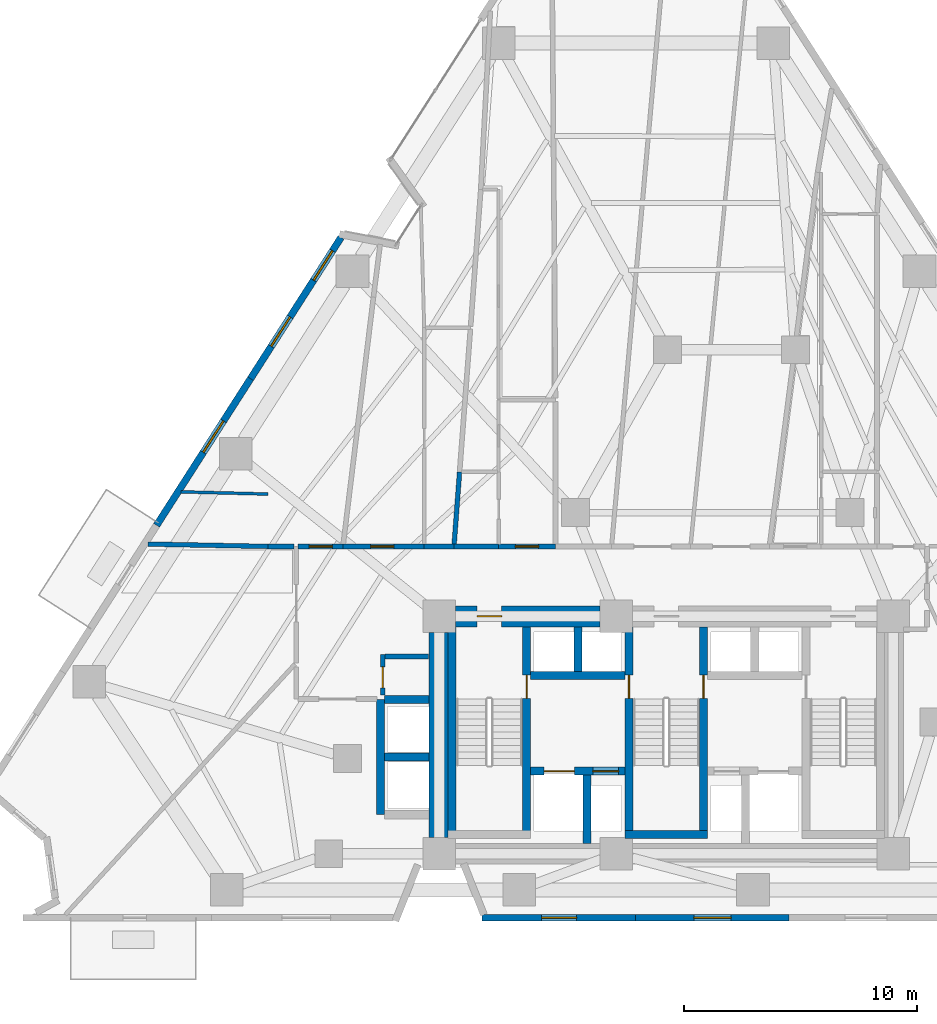
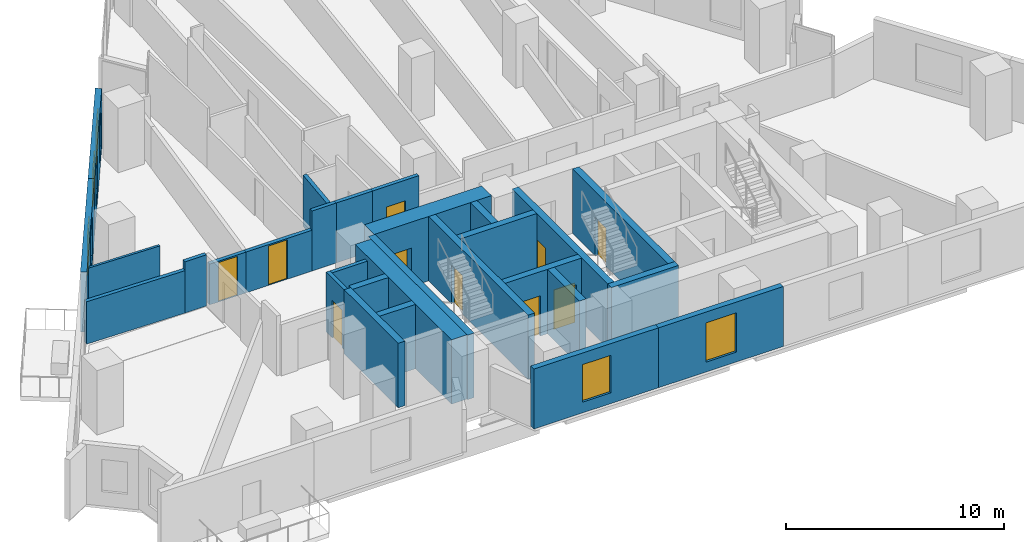
# One storey, part 7 of 14: 29 walls, 10 doors, 5 windows, 15 openings.
"""IFC4 building model written with IfcOpenShell, lengths in metres."""

import ifcopenshell
import ifcopenshell.guid

model = None  # the IFC model being written
_history = None  # IfcOwnerHistory: only IFC2X3 demands one
_inside = {}  # id of a spatial element -> (the spatial element, [elements in it])
_under = {}  # id of a project, library or spatial element -> (it, [spatial elements below it])
_declared = {}  # id of a project -> (the project, [libraries it declares])
_typed = {}  # id of a type object -> (the type object, [elements of that type])
_made_of = {}  # id of a material, layer set ... -> (it, [elements and type objects made of it])


def new_model(schema):
    """Start an empty IFC model of exactly this schema.

    Asked for "IFC4X3", IfcOpenShell would pick the latest addendum, in which some entities
    have other attributes; the version numbers below select the first issue.
    IFC2X3 requires an IfcOwnerHistory on every rooted entity: one is made here for all.
    """
    global model, _history
    if schema == "IFC4X3":
        model = ifcopenshell.file(schema_version=(4, 3, 0, 0))
    else:
        model = ifcopenshell.file(schema=schema)
    _inside.clear()
    _under.clear()
    _declared.clear()
    _typed.clear()
    _made_of.clear()
    _history = None
    if model.schema == "IFC2X3":
        org = make("IfcOrganization", Name="unknown")
        user = make(
            "IfcPersonAndOrganization",
            ThePerson=make("IfcPerson", FamilyName="unknown"),
            TheOrganization=org,
        )
        app = make(
            "IfcApplication",
            ApplicationDeveloper=org,
            Version="unknown",
            ApplicationFullName="unknown",
            ApplicationIdentifier="unknown",
        )
        _history = make(
            "IfcOwnerHistory",
            OwningUser=user,
            OwningApplication=app,
            ChangeAction="ADDED",
            CreationDate=0,
        )
    return model


def make(cls, **values):
    """One entity of the class cls with the attributes given. An attribute that is None is left unset."""
    return model.create_entity(
        cls, **{name: value for name, value in values.items() if value is not None}
    )


def rooted(cls, **values):
    """An entity with a GlobalId (a new one), such as an element, a storey or a relation."""
    return make(cls, GlobalId=ifcopenshell.guid.new(), OwnerHistory=_history, **values)


def si_unit(unit_type, name, prefix=None):
    """IfcSIUnit, for example si_unit("LENGTHUNIT", "METRE", prefix="MILLI")."""
    return make("IfcSIUnit", UnitType=unit_type, Prefix=prefix, Name=name)


def assignment(units):
    """IfcUnitAssignment: the units of a project."""
    return None if units is None else make("IfcUnitAssignment", Units=units)


def point(xyz):
    """IfcCartesianPoint."""
    return None if xyz is None else make("IfcCartesianPoint", Coordinates=xyz)


def direction(xyz):
    """IfcDirection."""
    return None if xyz is None else make("IfcDirection", DirectionRatios=xyz)


def frame(location, z_axis=None, x_axis=None):
    """IfcAxis2Placement3D, a coordinate frame: its origin and axes. An axis left out is left unset."""
    return make(
        "IfcAxis2Placement3D",
        Location=point(location),
        Axis=direction(z_axis),
        RefDirection=direction(x_axis),
    )


def frame_2d(location, x_axis=None):
    """IfcAxis2Placement2D, a coordinate frame in the plane: its origin and x axis."""
    return make(
        "IfcAxis2Placement2D", Location=point(location), RefDirection=direction(x_axis)
    )


def origin():
    """The frame at (0, 0, 0) with its axes left unset."""
    return frame((0.0, 0.0, 0.0))


def place(relative_to, where):
    """IfcLocalPlacement: puts the frame where relative to a parent placement (None: the world)."""
    return make(
        "IfcLocalPlacement", PlacementRelTo=relative_to, RelativePlacement=where
    )


def context(
    kind, dimensions, precision=None, world=None, true_north=None, identifier=None
):
    """IfcGeometricRepresentationContext, for example the 3D "Model" context."""
    return make(
        "IfcGeometricRepresentationContext",
        ContextIdentifier=identifier,
        ContextType=kind,
        CoordinateSpaceDimension=dimensions,
        Precision=precision,
        WorldCoordinateSystem=world,
        TrueNorth=true_north,
    )


def subcontext(parent, identifier, kind, view, scale=None):
    """IfcGeometricRepresentationSubContext, for example "Body" below "Model"."""
    return make(
        "IfcGeometricRepresentationSubContext",
        ContextIdentifier=identifier,
        ContextType=kind,
        ParentContext=parent,
        TargetScale=scale,
        TargetView=view,
    )


def project(units=None, contexts=None):
    """IfcProject with its units and contexts."""
    return rooted(
        "IfcProject",
        Name="project",
        RepresentationContexts=contexts,
        UnitsInContext=assignment(units),
    )


def spatial(cls, under=None, at=None, **own):
    """A site, building, storey or space (cls), placed at a placement, below another one or the project."""
    s = rooted(cls, ObjectPlacement=at, **own)
    if under is not None:
        _under.setdefault(under.id(), (under, []))[1].append(s)
    return s


def profile(cls, at=None, kind="AREA", **sizes):
    """A parametric profile (cls). Its sizes go by their IFC names, for example OverallWidth=200.0."""
    return make(cls, ProfileType=kind, Position=at, **sizes)


def rectangle(**sizes):
    """IfcRectangleProfileDef."""
    return profile("IfcRectangleProfileDef", **sizes)


def extrude(swept, where, along, depth):
    """IfcExtrudedAreaSolid: the profile swept, set in the frame where, extruded along a direction by depth."""
    return make(
        "IfcExtrudedAreaSolid",
        SweptArea=swept,
        Position=where,
        ExtrudedDirection=direction(along),
        Depth=depth,
    )


def shape(context_of_items, identifier, shape_type, items):
    """IfcShapeRepresentation: the items that make up one representation, for example the "Body"."""
    return make(
        "IfcShapeRepresentation",
        ContextOfItems=context_of_items,
        RepresentationIdentifier=identifier,
        RepresentationType=shape_type,
        Items=items,
    )


def material(Name=None, Category=None):
    """IfcMaterial."""
    return make("IfcMaterial", Name=Name, Category=Category)


def layer(
    of_material, thickness, ventilated=None, Name=None, Category=None, Priority=None
):
    """IfcMaterialLayer: one layer of a wall or slab, of a material (None: an air gap)."""
    return make(
        "IfcMaterialLayer",
        Material=of_material,
        LayerThickness=thickness,
        IsVentilated=ventilated,
        Name=Name,
        Category=Category,
        Priority=Priority,
    )


def layer_set(layers, Name=None):
    """IfcMaterialLayerSet."""
    return make("IfcMaterialLayerSet", MaterialLayers=layers, LayerSetName=Name)


def made_of(thing, what):
    """Note that an element or type object is made of a material, layer set ...; save() writes the relation."""
    if what is not None:
        _made_of.setdefault(what.id(), (what, []))[1].append(thing)
    return thing


def type_object(cls, material=None, **own):
    """A type object (cls), such as IfcWallType, which elements share."""
    return made_of(rooted(cls, **own), material)


def element(
    cls,
    number,
    at=None,
    inside=None,
    cuts=None,
    type_object=None,
    material=None,
    context=None,
    identifier="Body",
    shape_type=None,
    held_by="IfcProductDefinitionShape",
    body=None,
    shapes=None,
    **own,
):
    """One element of the class cls, such as IfcWall. Its Tag is "e" and its number.

    at: its placement. inside: the storey or other place that contains it. cuts: it is an
    opening in that element (IfcRelVoidsElement). A single representation is given by context,
    identifier, shape_type and body (its items); several are given by shapes. held_by: the class
    of the entity that holds the representations. save() writes the other relations.
    """
    e = rooted(cls, Tag="e%d" % number, ObjectPlacement=at, **own)
    if body is not None:
        shapes = [shape(context, identifier, shape_type, body)]
    if shapes is not None:
        e.Representation = make(held_by, Representations=shapes)
    if inside is not None:
        _inside.setdefault(inside.id(), (inside, []))[1].append(e)
    if cuts is not None:
        rooted(
            "IfcRelVoidsElement", RelatingBuildingElement=cuts, RelatedOpeningElement=e
        )
    if type_object is not None:
        _typed.setdefault(type_object.id(), (type_object, []))[1].append(e)
    return made_of(e, material)


def fill(opening, filler):
    """IfcRelFillsElement: the door or window that sits in an opening."""
    return rooted(
        "IfcRelFillsElement",
        RelatingOpeningElement=opening,
        RelatedBuildingElement=filler,
    )


def aggregate(whole, parts):
    """IfcRelAggregates: a whole, such as a stair, and the parts it consists of."""
    return rooted("IfcRelAggregates", RelatingObject=whole, RelatedObjects=parts)


def save(model, path):
    """Write the relations noted so far, then the file.

    IfcRelAggregates (storeys below a building ...), IfcRelContainedInSpatialStructure (elements
    in a storey), IfcRelDefinesByType, IfcRelAssociatesMaterial and IfcRelDeclares: one each for
    every whole, place, type object, material and project.
    """
    for whole, parts in _under.values():
        aggregate(whole, parts)
    for where, things in _inside.values():
        rooted(
            "IfcRelContainedInSpatialStructure",
            RelatedElements=things,
            RelatingStructure=where,
        )
    for kind, things in _typed.values():
        rooted("IfcRelDefinesByType", RelatedObjects=things, RelatingType=kind)
    for what, things in _made_of.values():
        rooted("IfcRelAssociatesMaterial", RelatedObjects=things, RelatingMaterial=what)
    for by, libraries in _declared.values():
        rooted("IfcRelDeclares", RelatingContext=by, RelatedDefinitions=libraries)
    model.write(path)


model = new_model("IFC4")

# Units and contexts
model_context = context("Model", 3, precision=1e-05, world=origin(), true_north=direction((0.0, 1.0)))
body_context = subcontext(model_context, "Body", "Model", "MODEL_VIEW")
ifc_project = project(units=[si_unit("LENGTHUNIT", "METRE"), si_unit("AREAUNIT", "SQUARE_METRE"), si_unit("VOLUMEUNIT", "CUBIC_METRE"), si_unit("PLANEANGLEUNIT", "RADIAN"), si_unit("MASSUNIT", "GRAM", prefix="KILO")], contexts=[model_context])

# Site, building, storey
site_placement = place(None, origin())
site = spatial("IfcSite", under=ifc_project, at=site_placement, CompositionType="ELEMENT")
building_placement = place(site_placement, origin())
building = spatial("IfcBuilding", under=site, at=building_placement, Name="Almagre Mirador Tower", CompositionType="ELEMENT")
storey_placement = place(building_placement, frame((0.0, 0.0, 46.199951171875)))
storey = spatial("IfcBuildingStorey", under=building, at=storey_placement, Name="L10", CompositionType="ELEMENT", Elevation=46.199951171875)

# Wall, opening, window
ifc_material_1 = material(Name="Precast concrete C50/60", Category="concrete")
ifc_layer_1 = layer(ifc_material_1, 0.300048828125)
ifc_layer_set_1 = layer_set([ifc_layer_1], Name="Precast concrete C50/60")
wall_type_1 = type_object("IfcWallType", Name="WAL-EXT-300", PredefinedType="SOLIDWALL", material=ifc_layer_set_1)
wall_1_placement = place(storey_placement, frame((42.5615234375, 1.800048828125, 0.0), z_axis=(0.0, 0.0, 1.0), x_axis=(-1.0, 0.0, 0.0)))
wall_1 = element("IfcWall", 1, at=wall_1_placement, inside=storey, type_object=wall_type_1, Name="L10 expressed almagre precast frame wall 23", PredefinedType="SOLIDWALL", context=body_context, shape_type="SweptSolid", body=[
    extrude(rectangle(XDim=6.5927734375, YDim=0.300048828125, at=frame_2d((3.29638671875, 0.0))), origin(), (0.0, 0.0, 1.0), 3.35009765625),
])
opening_1_placement = place(wall_1_placement, frame((2.47509765625, 0.0, 0.550048828125)))
opening_1 = element("IfcOpeningElement", 2, at=opening_1_placement, cuts=wall_1, Name="Opening WN-06", PredefinedType="OPENING", context=body_context, shape_type="SweptSolid", body=[
    extrude(rectangle(XDim=1.60009765625, YDim=2.199951171875, at=frame_2d((0.800048828125, 1.10009765625))), frame((0.0, 0.159902, 0.0), z_axis=(0.0, -1.0, 0.0), x_axis=(1.0, 0.0, 0.0)), (0.0, 0.0, 1.0), 0.320049),
])
ifc_material_2 = material(Name="Dark solar-control laminated hurricane glass", Category="glass")
window_type_1 = type_object("IfcWindowType", Name="WIN-1600X2200", PartitioningType="DOUBLE_PANEL_VERTICAL", PredefinedType="WINDOW", material=ifc_material_2)
window_1_placement = place(opening_1_placement, origin())
window_1 = element("IfcWindow", 3, at=window_1_placement, inside=storey, type_object=window_type_1, Name="L10 recessed hurricane window L10-RST-B", OverallHeight=2.199951171875, OverallWidth=1.60009765625, PartitioningType="SINGLE_PANEL", PredefinedType="WINDOW", context=body_context, shape_type="SweptSolid", body=[
    extrude(rectangle(XDim=1.60009765625, YDim=2.199951171875, at=frame_2d((0.800048828125, 1.10009765625))), frame((0.0, 0.030029296875, 0.0), z_axis=(0.0, -1.0, 0.0), x_axis=(1.0, 0.0, 0.0)), (0.0, 0.0, 1.0), 0.06005859375),
])
fill(opening_1, window_1)

wall_2_placement = place(storey_placement, frame((35.96875, 1.800048828125, 0.0), z_axis=(0.0, 0.0, 1.0), x_axis=(-1.0, 0.0, 0.0)))
wall_2 = element("IfcWall", 4, at=wall_2_placement, inside=storey, type_object=wall_type_1, Name="L10 expressed almagre precast frame wall 24", PredefinedType="SOLIDWALL", context=body_context, shape_type="SweptSolid", body=[
    extrude(rectangle(XDim=6.5927734375, YDim=0.300048828125, at=frame_2d((3.29638671875, 0.0))), origin(), (0.0, 0.0, 1.0), 3.35009765625),
])
opening_2_placement = place(wall_2_placement, frame((2.52490234375, 0.0, 0.60009765625)))
opening_2 = element("IfcOpeningElement", 5, at=opening_2_placement, cuts=wall_2, Name="Opening WN-03", PredefinedType="OPENING", context=body_context, shape_type="SweptSolid", body=[
    extrude(rectangle(XDim=1.5, YDim=2.10009765625, at=frame_2d((0.75, 1.050048828125))), frame((0.0, 0.159902, 0.0), z_axis=(0.0, -1.0, 0.0), x_axis=(1.0, 0.0, 0.0)), (0.0, 0.0, 1.0), 0.320049),
])
ifc_material_3 = material(Name="Dark solar-control laminated hurricane glass", Category="glass")
window_type_2 = type_object("IfcWindowType", Name="WIN-1500X2100", PartitioningType="DOUBLE_PANEL_VERTICAL", PredefinedType="WINDOW", material=ifc_material_3)
window_2_placement = place(opening_2_placement, origin())
window_2 = element("IfcWindow", 6, at=window_2_placement, inside=storey, type_object=window_type_2, Name="L10 recessed hurricane window L10-RST-B", OverallHeight=2.10009765625, OverallWidth=1.5, PartitioningType="SINGLE_PANEL", PredefinedType="WINDOW", context=body_context, shape_type="SweptSolid", body=[
    extrude(rectangle(XDim=1.5, YDim=2.10009765625, at=frame_2d((0.75, 1.050048828125))), frame((0.0, 0.030029296875, 0.0), z_axis=(0.0, -1.0, 0.0), x_axis=(1.0, 0.0, 0.0)), (0.0, 0.0, 1.0), 0.06005859375),
])
fill(opening_2, window_2)

wall_3_placement = place(storey_placement, frame((15.403564453125, 18.658447265625, 0.0), z_axis=(0.0, 0.0, 1.0), x_axis=(0.539510136354, 0.841979104712, 0.0)))
wall_3 = element("IfcWall", 7, at=wall_3_placement, inside=storey, type_object=wall_type_1, Name="L10 expressed almagre precast frame wall 35", PredefinedType="SOLIDWALL", context=body_context, shape_type="SweptSolid", body=[
    extrude(rectangle(XDim=7.4814453125, YDim=0.300048828125, at=frame_2d((3.74072265625, 0.0))), origin(), (0.0, 0.0, 1.0), 3.35009765625),
])
opening_3_placement = place(wall_3_placement, frame((3.72509765625, 0.0, 0.550048828125)))
opening_3 = element("IfcOpeningElement", 8, at=opening_3_placement, cuts=wall_3, Name="Opening WN-06", PredefinedType="OPENING", context=body_context, shape_type="SweptSolid", body=[
    extrude(rectangle(XDim=1.60009765625, YDim=2.199951171875, at=frame_2d((0.800048828125, 1.10009765625))), frame((0.0, 0.159902, 0.0), z_axis=(0.0, -1.0, 0.0), x_axis=(1.0, 0.0, 0.0)), (0.0, 0.0, 1.0), 0.320049),
])
window_3_placement = place(opening_3_placement, origin())
window_3 = element("IfcWindow", 9, at=window_3_placement, inside=storey, type_object=window_type_1, Name="L10 recessed hurricane window L10-UE-MB", OverallHeight=2.199951171875, OverallWidth=1.60009765625, PartitioningType="SINGLE_PANEL", PredefinedType="WINDOW", context=body_context, shape_type="SweptSolid", body=[
    extrude(rectangle(XDim=1.60009765625, YDim=2.199951171875, at=frame_2d((0.800048828125, 1.10009765625))), frame((0.0, 0.030029296875, 0.0), z_axis=(0.0, -1.0, 0.0), x_axis=(1.0, 0.0, 0.0)), (0.0, 0.0, 1.0), 0.06005859375),
])
fill(opening_3, window_3)

# Wall, openings, windows
wall_4_placement = place(storey_placement, frame((19.43994140625, 24.957763671875, 0.0), z_axis=(0.0, 0.0, 1.0), x_axis=(0.539536201693, 0.841962402404, 0.0)))
wall_4 = element("IfcWall", 10, at=wall_4_placement, inside=storey, type_object=wall_type_1, Name="L10 expressed almagre precast frame wall 36", PredefinedType="SOLIDWALL", context=body_context, shape_type="SweptSolid", body=[
    extrude(rectangle(XDim=7.20654296875, YDim=0.300048828125, at=frame_2d((3.603271484375, 0.0))), origin(), (0.0, 0.0, 1.0), 3.35009765625),
])
opening_4_placement = place(wall_4_placement, frame((1.64990234375, 0.0, 0.60009765625)))
opening_4 = element("IfcOpeningElement", 11, at=opening_4_placement, cuts=wall_4, Name="Opening WN-03", PredefinedType="OPENING", context=body_context, shape_type="SweptSolid", body=[
    extrude(rectangle(XDim=1.5, YDim=2.10009765625, at=frame_2d((0.75, 1.050048828125))), frame((0.0, 0.159902, 0.0), z_axis=(0.0, -1.0, 0.0), x_axis=(1.0, 0.0, 0.0)), (0.0, 0.0, 1.0), 0.320049),
])
opening_5_placement = place(wall_4_placement, frame((5.02490234375, 0.0, 0.60009765625)))
opening_5 = element("IfcOpeningElement", 12, at=opening_5_placement, cuts=wall_4, Name="Opening WN-03", PredefinedType="OPENING", context=body_context, shape_type="SweptSolid", body=[
    extrude(rectangle(XDim=1.5, YDim=2.10009765625, at=frame_2d((0.75, 1.050048828125))), frame((0.0, 0.159902, 0.0), z_axis=(0.0, -1.0, 0.0), x_axis=(1.0, 0.0, 0.0)), (0.0, 0.0, 1.0), 0.320049),
])
window_4_placement = place(opening_4_placement, origin())
window_4 = element("IfcWindow", 13, at=window_4_placement, inside=storey, type_object=window_type_2, Name="L10 recessed hurricane window L10-UE-LV", OverallHeight=2.10009765625, OverallWidth=1.5, PartitioningType="SINGLE_PANEL", PredefinedType="WINDOW", context=body_context, shape_type="SweptSolid", body=[
    extrude(rectangle(XDim=1.5, YDim=2.10009765625, at=frame_2d((0.75, 1.050048828125))), frame((0.0, 0.030029296875, 0.0), z_axis=(0.0, -1.0, 0.0), x_axis=(1.0, 0.0, 0.0)), (0.0, 0.0, 1.0), 0.06005859375),
])
fill(opening_4, window_4)
window_5_placement = place(opening_5_placement, origin())
window_5 = element("IfcWindow", 14, at=window_5_placement, inside=storey, type_object=window_type_2, Name="L10 recessed hurricane window L10-UE-HB", OverallHeight=2.10009765625, OverallWidth=1.5, PartitioningType="SINGLE_PANEL", PredefinedType="WINDOW", context=body_context, shape_type="SweptSolid", body=[
    extrude(rectangle(XDim=1.5, YDim=2.10009765625, at=frame_2d((0.75, 1.050048828125))), frame((0.0, 0.030029296875, 0.0), z_axis=(0.0, -1.0, 0.0), x_axis=(1.0, 0.0, 0.0)), (0.0, 0.0, 1.0), 0.06005859375),
])
fill(opening_5, window_5)

# Wall
ifc_material_4 = material(Name="Gypsum acoustic stud partition", Category="other")
ifc_layer_2 = layer(ifc_material_4, 0.125)
ifc_layer_set_2 = layer_set([ifc_layer_2], Name="Gypsum acoustic stud partition")
wall_type_2 = type_object("IfcWallType", Name="WAL-PRT-125-UTL", PredefinedType="PARTITIONING", material=ifc_layer_set_2)
wall_5_placement = place(storey_placement, frame((20.18994140625, 20.0, 0.0), z_axis=(0.0, 0.0, 1.0), x_axis=(-0.999676861021, 0.025419943714, 0.0)))
element("IfcWall", 15, at=wall_5_placement, inside=storey, type_object=wall_type_2, Name="L10 interior partition 028", PredefinedType="PARTITIONING", context=body_context, shape_type="SweptSolid", body=[
    extrude(rectangle(XDim=3.736083984375, YDim=0.125, at=frame_2d((1.8681640625, 0.0))), origin(), (0.0, 0.0, 1.0), 2.3701171875),
])

# Wall, opening, door
ifc_material_5 = material(Name="Gypsum acoustic stud partition", Category="other")
ifc_layer_3 = layer(ifc_material_5, 0.199951171875)
ifc_layer_set_3 = layer_set([ifc_layer_3], Name="Gypsum acoustic stud partition")
wall_type_3 = type_object("IfcWallType", Name="WAL-PRT-200-EI60", PredefinedType="PARTITIONING", material=ifc_layer_set_3)
wall_6_placement = place(storey_placement, frame((25.1201171875, 11.3701171875, 0.0), z_axis=(0.0, 0.0, 1.0), x_axis=(0.0, 1.0, 0.0)))
wall_6 = element("IfcWall", 16, at=wall_6_placement, inside=storey, type_object=wall_type_3, Name="L10 core ancillary west wall", PredefinedType="PARTITIONING", context=body_context, shape_type="SweptSolid", body=[
    extrude(rectangle(XDim=1.739990234375, YDim=0.199951171875, at=frame_2d((0.8701171875, 0.0))), origin(), (0.0, 0.0, 1.0), 3.35009765625),
])
opening_6_placement = place(wall_6_placement, frame((0.304931640625, 0.0, 0.0)))
opening_6 = element("IfcOpeningElement", 17, at=opening_6_placement, cuts=wall_6, Name="Opening ID-03", PredefinedType="OPENING", context=body_context, shape_type="SweptSolid", body=[
    extrude(rectangle(XDim=0.89990234375, YDim=2.10009765625, at=frame_2d((0.449951171875, 1.050048828125))), frame((0.0, 0.110098, 0.0), z_axis=(0.0, -1.0, 0.0), x_axis=(1.0, 0.0, 0.0)), (0.0, 0.0, 1.0), 0.219951),
])
ifc_material_6 = material(Name="Fire-rated hollow steel", Category="steel")
door_type_1 = type_object("IfcDoorType", Name="DOR-FD60-900X2100", OperationType="NOTDEFINED", PredefinedType="DOOR", material=ifc_material_6)
door_1_placement = place(opening_6_placement, origin())
door_1 = element("IfcDoor", 18, at=door_1_placement, inside=storey, type_object=door_type_1, Name="DR-0316 L10 core ancillary corridor door", OperationType="SINGLE_SWING_RIGHT", OverallHeight=2.10009765625, OverallWidth=0.89990234375, PredefinedType="DOOR", context=body_context, shape_type="SweptSolid", body=[
    extrude(rectangle(XDim=0.89990234375, YDim=2.10009765625, at=frame_2d((0.449951171875, 1.050048828125))), frame((0.0, 0.02490234375, 0.0), z_axis=(0.0, -1.0, 0.0), x_axis=(1.0, 0.0, 0.0)), (0.0, 0.0, 1.0), 0.050048828125),
])
fill(opening_6, door_1)

# Wall
wall_7_placement = place(storey_placement, frame((25.22509765625, 13.02001953125, 0.0), z_axis=(0.0, 0.0, 1.0), x_axis=(1.0, 0.0, 0.0)))
element("IfcWall", 19, at=wall_7_placement, inside=storey, type_object=wall_type_3, Name="L10 core ancillary north wall", PredefinedType="PARTITIONING", context=body_context, shape_type="SweptSolid", body=[
    extrude(rectangle(XDim=1.85986328125, YDim=0.199951171875, at=frame_2d((0.929931640625, 0.0))), origin(), (0.0, 0.0, 1.0), 3.35009765625),
])

# Wall, opening, door
wall_8_placement = place(storey_placement, frame((23.409912109375, 17.75, 0.0), z_axis=(0.0, 0.0, 1.0), x_axis=(-1.0, 0.0, 0.0)))
wall_8 = element("IfcWall", 20, at=wall_8_placement, inside=storey, type_object=wall_type_3, Name="L10 interior partition 007", PredefinedType="PARTITIONING", context=body_context, shape_type="SweptSolid", body=[
    extrude(rectangle(XDim=1.9248046875, YDim=0.199951171875, at=frame_2d((0.96240234375, 0.0))), origin(), (0.0, 0.0, 1.0), 2.279052734375),
])
opening_7_placement = place(wall_8_placement, frame((0.452880859375, 0.0, 0.0)))
opening_7 = element("IfcOpeningElement", 21, at=opening_7_placement, cuts=wall_8, Name="Opening ID-01", PredefinedType="OPENING", context=body_context, shape_type="SweptSolid", body=[
    extrude(rectangle(XDim=1.0, YDim=2.199951171875, at=frame_2d((0.5, 1.10009765625))), frame((0.0, 0.110098, 0.0), z_axis=(0.0, -1.0, 0.0), x_axis=(1.0, 0.0, 0.0)), (0.0, 0.0, 1.0), 0.219951),
])
ifc_material_7 = material(Name="Fire-rated walnut timber", Category="wood")
door_type_2 = type_object("IfcDoorType", Name="DOR-FD60-1000X2200", OperationType="NOTDEFINED", PredefinedType="DOOR", material=ifc_material_7)
door_2_placement = place(opening_7_placement, origin())
door_2 = element("IfcDoor", 22, at=door_2_placement, inside=storey, type_object=door_type_2, Name="DR-0327 L10 interior door L10-RCOR to L10-UE-LV", OperationType="SINGLE_SWING_LEFT", OverallHeight=2.199951171875, OverallWidth=1.0, PredefinedType="DOOR", context=body_context, shape_type="SweptSolid", body=[
    extrude(rectangle(XDim=1.0, YDim=2.199951171875, at=frame_2d((0.5, 1.10009765625))), frame((0.0, 0.02490234375, 0.0), z_axis=(0.0, -1.0, 0.0), x_axis=(1.0, 0.0, 0.0)), (0.0, 0.0, 1.0), 0.050048828125),
])
fill(opening_7, door_2)

wall_9_placement = place(storey_placement, frame((26.89990234375, 17.75, 0.0), z_axis=(0.0, 0.0, 1.0), x_axis=(-1.0, 0.0, 0.0)))
wall_9 = element("IfcWall", 23, at=wall_9_placement, inside=storey, type_object=wall_type_3, Name="L10 interior partition 011", PredefinedType="PARTITIONING", context=body_context, shape_type="SweptSolid", body=[
    extrude(rectangle(XDim=3.489990234375, YDim=0.199951171875, at=frame_2d((1.7451171875, 0.0))), origin(), (0.0, 0.0, 1.0), 2.279052734375),
])
opening_8_placement = place(wall_9_placement, frame((1.30322265625, 0.0, 0.0)))
opening_8 = element("IfcOpeningElement", 24, at=opening_8_placement, cuts=wall_9, Name="Opening ID-01", PredefinedType="OPENING", context=body_context, shape_type="SweptSolid", body=[
    extrude(rectangle(XDim=1.0, YDim=2.199951171875, at=frame_2d((0.5, 1.10009765625))), frame((0.0, 0.110098, 0.0), z_axis=(0.0, -1.0, 0.0), x_axis=(1.0, 0.0, 0.0)), (0.0, 0.0, 1.0), 0.219951),
])
door_3_placement = place(opening_8_placement, origin())
door_3 = element("IfcDoor", 25, at=door_3_placement, inside=storey, type_object=door_type_2, Name="DR-0332 L10 interior door L10-RCOR to L10-UH-ST", OperationType="SINGLE_SWING_LEFT", OverallHeight=2.199951171875, OverallWidth=1.0, PredefinedType="DOOR", context=body_context, shape_type="SweptSolid", body=[
    extrude(rectangle(XDim=1.0, YDim=2.199951171875, at=frame_2d((0.5, 1.10009765625))), frame((0.0, 0.02490234375, 0.0), z_axis=(0.0, -1.0, 0.0), x_axis=(1.0, 0.0, 0.0)), (0.0, 0.0, 1.0), 0.050048828125),
])
fill(opening_8, door_3)

# Wall
wall_10_placement = place(storey_placement, frame((28.179931640625, 17.75, 0.0), z_axis=(0.0, 0.0, 1.0), x_axis=(-1.0, 0.0, 0.0)))
element("IfcWall", 26, at=wall_10_placement, inside=storey, type_object=wall_type_3, Name="L10 interior partition 012", PredefinedType="PARTITIONING", context=body_context, shape_type="SweptSolid", body=[
    extrude(rectangle(XDim=1.280029296875, YDim=0.199951171875, at=frame_2d((0.64013671875, 0.0))), origin(), (0.0, 0.0, 1.0), 3.35009765625),
])

# Wall, opening, door
wall_11_placement = place(storey_placement, frame((32.5400390625, 17.75, 0.0), z_axis=(0.0, 0.0, 1.0), x_axis=(-1.0, 0.0, 0.0)))
wall_11 = element("IfcWall", 27, at=wall_11_placement, inside=storey, type_object=wall_type_3, Name="L10 interior partition 013", PredefinedType="PARTITIONING", context=body_context, shape_type="SweptSolid", body=[
    extrude(rectangle(XDim=2.43994140625, YDim=0.199951171875, at=frame_2d((1.219970703125, 0.0))), origin(), (0.0, 0.0, 1.0), 3.35009765625),
])
opening_9_placement = place(wall_11_placement, frame((0.719970703125, 0.0, 0.0)))
opening_9 = element("IfcOpeningElement", 28, at=opening_9_placement, cuts=wall_11, Name="Opening ID-01", PredefinedType="OPENING", context=body_context, shape_type="SweptSolid", body=[
    extrude(rectangle(XDim=1.0, YDim=2.199951171875, at=frame_2d((0.5, 1.10009765625))), frame((0.0, 0.110098, 0.0), z_axis=(0.0, -1.0, 0.0), x_axis=(1.0, 0.0, 0.0)), (0.0, 0.0, 1.0), 0.219951),
])
door_4_placement = place(opening_9_placement, origin())
door_4 = element("IfcDoor", 29, at=door_4_placement, inside=storey, type_object=door_type_2, Name="DR-0334 L10 interior door L10-RCOR to L10-UJ-ST", OperationType="SINGLE_SWING_RIGHT", OverallHeight=2.199951171875, OverallWidth=1.0, PredefinedType="DOOR", context=body_context, shape_type="SweptSolid", body=[
    extrude(rectangle(XDim=1.0, YDim=2.199951171875, at=frame_2d((0.5, 1.10009765625))), frame((0.0, 0.02490234375, 0.0), z_axis=(0.0, -1.0, 0.0), x_axis=(1.0, 0.0, 0.0)), (0.0, 0.0, 1.0), 0.050048828125),
])
fill(opening_9, door_4)

# Walls
wall_12_placement = place(storey_placement, frame((30.10009765625, 17.75, 0.0), z_axis=(0.0, 0.0, 1.0), x_axis=(-1.0, 0.0, 0.0)))
element("IfcWall", 30, at=wall_12_placement, inside=storey, type_object=wall_type_3, Name="L10 interior partition 014", PredefinedType="PARTITIONING", context=body_context, shape_type="SweptSolid", body=[
    extrude(rectangle(XDim=1.920166015625, YDim=0.199951171875, at=frame_2d((0.9599609375, 0.0))), origin(), (0.0, 0.0, 1.0), 3.35009765625),
])
wall_13_placement = place(storey_placement, frame((21.31494140625, 17.75, 0.0), z_axis=(0.0, 0.0, 1.0), x_axis=(-1.0, 0.0, 0.0)))
element("IfcWall", 31, at=wall_13_placement, inside=storey, type_object=wall_type_3, Name="L10 interior partition 020", PredefinedType="PARTITIONING", context=body_context, shape_type="SweptSolid", body=[
    extrude(rectangle(XDim=1.125, YDim=0.199951171875, at=frame_2d((0.5625, 0.0))), origin(), (0.0, 0.0, 1.0), 2.860107421875),
])
wall_14_placement = place(storey_placement, frame((20.18994140625, 17.75, 0.0), z_axis=(0.0, 0.0, 1.0), x_axis=(-0.999807237974, 0.019633820156, 0.0)))
element("IfcWall", 32, at=wall_14_placement, inside=storey, type_object=wall_type_3, Name="L10 interior partition 021", PredefinedType="PARTITIONING", context=body_context, shape_type="SweptSolid", body=[
    extrude(rectangle(XDim=5.14794921875, YDim=0.199951171875, at=frame_2d((2.573974609375, 0.0))), origin(), (0.0, 0.0, 1.0), 2.3701171875),
])
wall_15_placement = place(storey_placement, frame((28.186279296875, 17.834716796875, 0.0), z_axis=(0.0, 0.0, 1.0), x_axis=(0.074789948242, 0.997199309888, 0.0)))
element("IfcWall", 33, at=wall_15_placement, inside=storey, type_object=wall_type_3, Name="L10 interior partition 042", PredefinedType="PARTITIONING", context=body_context, shape_type="SweptSolid", body=[
    extrude(rectangle(XDim=3.1240234375, YDim=0.199951171875, at=frame_2d((1.56201171875, 0.0))), origin(), (0.0, 0.0, 1.0), 2.860107421875),
])
ifc_material_8 = material(Name="Concrete C60/75", Category="concrete")
ifc_layer_4 = layer(ifc_material_8, 0.35009765625)
ifc_layer_set_4 = layer_set([ifc_layer_4], Name="Concrete C60/75")
wall_type_4 = type_object("IfcWallType", Name="WAL-SHF-350", PredefinedType="SOLIDWALL", material=ifc_layer_set_4)
wall_16_placement = place(storey_placement, frame((28.10009765625, 5.199951171875, 0.0), z_axis=(0.0, 0.0, 1.0), x_axis=(0.0, 1.0, 0.0)))
element("IfcWall", 34, at=wall_16_placement, inside=storey, type_object=wall_type_4, Name="L10 shaft wall ST1-W", PredefinedType="SOLIDWALL", context=body_context, shape_type="SweptSolid", body=[
    extrude(rectangle(XDim=9.10009765625, YDim=0.35009765625, at=frame_2d((4.550048828125, 0.0))), origin(), (0.0, 0.0, 1.0), 3.60009765625),
])

# Wall, opening, door
wall_17_placement = place(storey_placement, frame((31.300048828125, 5.199951171875, 0.0), z_axis=(0.0, 0.0, 1.0), x_axis=(0.0, 1.0, 0.0)))
wall_17 = element("IfcWall", 35, at=wall_17_placement, inside=storey, type_object=wall_type_4, Name="L10 shaft wall ST1-E", PredefinedType="SOLIDWALL", context=body_context, shape_type="SweptSolid", body=[
    extrude(rectangle(XDim=9.10009765625, YDim=0.35009765625, at=frame_2d((4.550048828125, 0.0))), origin(), (0.0, 0.0, 1.0), 3.60009765625),
])
opening_10_placement = place(wall_17_placement, frame((6.02001953125, 0.0, 0.0)))
opening_10 = element("IfcOpeningElement", 36, at=opening_10_placement, cuts=wall_17, Name="Opening FD-01", PredefinedType="OPENING", context=body_context, shape_type="SweptSolid", body=[
    extrude(rectangle(XDim=1.0, YDim=2.14990234375, at=frame_2d((0.5, 1.074951171875))), frame((0.0, 0.185049, 0.0), z_axis=(0.0, -1.0, 0.0), x_axis=(1.0, 0.0, 0.0)), (0.0, 0.0, 1.0), 0.370098),
])
ifc_material_9 = material(Name="Fire-rated hollow steel", Category="steel")
door_type_3 = type_object("IfcDoorType", Name="DOR-FFL-1000X2150", OperationType="NOTDEFINED", PredefinedType="DOOR", material=ifc_material_9)
door_5_placement = place(opening_10_placement, origin())
door_5 = element("IfcDoor", 37, at=door_5_placement, inside=storey, type_object=door_type_3, Name="DR-0317 L10 FFL1-ST1 smokeproof door", OperationType="SINGLE_SWING_RIGHT", OverallHeight=2.14990234375, OverallWidth=1.0, PredefinedType="DOOR", context=body_context, shape_type="SweptSolid", body=[
    extrude(rectangle(XDim=1.0, YDim=2.14990234375, at=frame_2d((0.5, 1.074951171875))), frame((0.0, 0.02490234375, 0.0), z_axis=(0.0, -1.0, 0.0), x_axis=(1.0, 0.0, 0.0)), (0.0, 0.0, 1.0), 0.050048828125),
])
fill(opening_10, door_5)

wall_18_placement = place(storey_placement, frame((35.699951171875, 5.199951171875, 0.0), z_axis=(0.0, 0.0, 1.0), x_axis=(0.0, 1.0, 0.0)))
wall_18 = element("IfcWall", 38, at=wall_18_placement, inside=storey, type_object=wall_type_4, Name="L10 shaft wall ST2-W", PredefinedType="SOLIDWALL", context=body_context, shape_type="SweptSolid", body=[
    extrude(rectangle(XDim=9.10009765625, YDim=0.35009765625, at=frame_2d((4.550048828125, 0.0))), origin(), (0.0, 0.0, 1.0), 3.60009765625),
])
opening_11_placement = place(wall_18_placement, frame((6.02001953125, 0.0, 0.0)))
opening_11 = element("IfcOpeningElement", 39, at=opening_11_placement, cuts=wall_18, Name="Opening FD-01", PredefinedType="OPENING", context=body_context, shape_type="SweptSolid", body=[
    extrude(rectangle(XDim=1.0, YDim=2.14990234375, at=frame_2d((0.5, 1.074951171875))), frame((0.0, 0.185049, 0.0), z_axis=(0.0, -1.0, 0.0), x_axis=(1.0, 0.0, 0.0)), (0.0, 0.0, 1.0), 0.370098),
])
door_6_placement = place(opening_11_placement, origin())
door_6 = element("IfcDoor", 40, at=door_6_placement, inside=storey, type_object=door_type_3, Name="DR-0318 L10 FFL1-ST2 smokeproof door", OperationType="SINGLE_SWING_LEFT", OverallHeight=2.14990234375, OverallWidth=1.0, PredefinedType="DOOR", context=body_context, shape_type="SweptSolid", body=[
    extrude(rectangle(XDim=1.0, YDim=2.14990234375, at=frame_2d((0.5, 1.074951171875))), frame((0.0, 0.02490234375, 0.0), z_axis=(0.0, -1.0, 0.0), x_axis=(1.0, 0.0, 0.0)), (0.0, 0.0, 1.0), 0.050048828125),
])
fill(opening_11, door_6)

wall_19_placement = place(storey_placement, frame((38.89990234375, 5.199951171875, 0.0), z_axis=(0.0, 0.0, 1.0), x_axis=(0.0, 1.0, 0.0)))
wall_19 = element("IfcWall", 41, at=wall_19_placement, inside=storey, type_object=wall_type_4, Name="L10 shaft wall ST2-E", PredefinedType="SOLIDWALL", context=body_context, shape_type="SweptSolid", body=[
    extrude(rectangle(XDim=9.10009765625, YDim=0.35009765625, at=frame_2d((4.550048828125, 0.0))), origin(), (0.0, 0.0, 1.0), 3.60009765625),
])
opening_12_placement = place(wall_19_placement, frame((6.02001953125, 0.0, 0.0)))
opening_12 = element("IfcOpeningElement", 42, at=opening_12_placement, cuts=wall_19, Name="Opening FD-01", PredefinedType="OPENING", context=body_context, shape_type="SweptSolid", body=[
    extrude(rectangle(XDim=1.0, YDim=2.14990234375, at=frame_2d((0.5, 1.074951171875))), frame((0.0, 0.185049, 0.0), z_axis=(0.0, -1.0, 0.0), x_axis=(1.0, 0.0, 0.0)), (0.0, 0.0, 1.0), 0.370098),
])
door_7_placement = place(opening_12_placement, origin())
door_7 = element("IfcDoor", 43, at=door_7_placement, inside=storey, type_object=door_type_3, Name="DR-0319 L10 FFL2-ST2 smokeproof door", OperationType="SINGLE_SWING_RIGHT", OverallHeight=2.14990234375, OverallWidth=1.0, PredefinedType="DOOR", context=body_context, shape_type="SweptSolid", body=[
    extrude(rectangle(XDim=1.0, YDim=2.14990234375, at=frame_2d((0.5, 1.074951171875))), frame((0.0, 0.02490234375, 0.0), z_axis=(0.0, -1.0, 0.0), x_axis=(1.0, 0.0, 0.0)), (0.0, 0.0, 1.0), 0.050048828125),
])
fill(opening_12, door_7)

# Wall
wall_20_placement = place(storey_placement, frame((35.52490234375, 5.375, 0.0), z_axis=(0.0, 0.0, 1.0), x_axis=(1.0, 0.0, 0.0)))
element("IfcWall", 44, at=wall_20_placement, inside=storey, type_object=wall_type_4, Name="L10 shaft wall ST2-S", PredefinedType="SOLIDWALL", context=body_context, shape_type="SweptSolid", body=[
    extrude(rectangle(XDim=3.550048828125, YDim=0.35009765625, at=frame_2d((1.77490234375, 0.0))), origin(), (0.0, 0.0, 1.0), 3.60009765625),
])

# Wall, openings, doors
wall_21_placement = place(storey_placement, frame((31.47509765625, 8.10009765625, 0.0), z_axis=(0.0, 0.0, 1.0), x_axis=(1.0, 0.0, 0.0)))
wall_21 = element("IfcWall", 45, at=wall_21_placement, inside=storey, type_object=wall_type_4, Name="L10 shaft wall FSAE1-N", PredefinedType="SOLIDWALL", context=body_context, shape_type="SweptSolid", body=[
    extrude(rectangle(XDim=4.0498046875, YDim=0.35009765625, at=frame_2d((2.02490234375, 0.0))), origin(), (0.0, 0.0, 1.0), 3.60009765625),
])
opening_13_placement = place(wall_21_placement, frame((0.574951171875, 0.0, 0.0)))
opening_13 = element("IfcOpeningElement", 46, at=opening_13_placement, cuts=wall_21, Name="Opening LD-03", PredefinedType="OPENING", context=body_context, shape_type="SweptSolid", body=[
    extrude(rectangle(XDim=1.300048828125, YDim=2.25, at=frame_2d((0.64990234375, 1.125))), frame((0.0, 0.185049, 0.0), z_axis=(0.0, -1.0, 0.0), x_axis=(1.0, 0.0, 0.0)), (0.0, 0.0, 1.0), 0.370098),
])
opening_14_placement = place(wall_21_placement, frame((2.675048828125, 0.0, 0.0)))
opening_14 = element("IfcOpeningElement", 47, at=opening_14_placement, cuts=wall_21, Name="Opening LD-01", PredefinedType="OPENING", context=body_context, shape_type="SweptSolid", body=[
    extrude(rectangle(XDim=1.10009765625, YDim=2.199951171875, at=frame_2d((0.550048828125, 1.10009765625))), frame((0.0, 0.185049, 0.0), z_axis=(0.0, -1.0, 0.0), x_axis=(1.0, 0.0, 0.0)), (0.0, 0.0, 1.0), 0.370098),
])
ifc_material_10 = material(Name="Hollow stainless steel", Category="steel")
door_type_4 = type_object("IfcDoorType", Name="DOR-LD-1100X2200", OperationType="DOUBLE_DOOR_SLIDING", PredefinedType="DOOR", material=ifc_material_10)
door_8_placement = place(opening_14_placement, origin())
door_8 = element("IfcDoor", 48, at=door_8_placement, inside=storey, type_object=door_type_4, Name="DR-0340 L10 PL-L1 lift landing door", OperationType="DOUBLE_DOOR_SLIDING", OverallHeight=2.199951171875, OverallWidth=1.10009765625, PredefinedType="DOOR", context=body_context, shape_type="SweptSolid", body=[
    extrude(rectangle(XDim=1.10009765625, YDim=2.199951171875, at=frame_2d((0.550048828125, 1.10009765625))), frame((0.0, 0.02490234375, 0.0), z_axis=(0.0, -1.0, 0.0), x_axis=(1.0, 0.0, 0.0)), (0.0, 0.0, 1.0), 0.050048828125),
])
fill(opening_14, door_8)
ifc_material_11 = material(Name="Hollow stainless steel", Category="steel")
door_type_5 = type_object("IfcDoorType", Name="DOR-LD-1300X2250", OperationType="DOUBLE_DOOR_SLIDING", PredefinedType="DOOR", material=ifc_material_11)
door_9_placement = place(opening_13_placement, origin())
door_9 = element("IfcDoor", 49, at=door_9_placement, inside=storey, type_object=door_type_5, Name="DR-0338 L10 FSAE-1 lift landing door", OperationType="DOUBLE_DOOR_SLIDING", OverallHeight=2.25, OverallWidth=1.300048828125, PredefinedType="DOOR", context=body_context, shape_type="SweptSolid", body=[
    extrude(rectangle(XDim=1.300048828125, YDim=2.25, at=frame_2d((0.64990234375, 1.125))), frame((0.0, 0.02490234375, 0.0), z_axis=(0.0, -1.0, 0.0), x_axis=(1.0, 0.0, 0.0)), (0.0, 0.0, 1.0), 0.050048828125),
])
fill(opening_13, door_9)

# Walls
wall_22_placement = place(storey_placement, frame((33.89990234375, 5.0, 0.0), z_axis=(0.0, 0.0, 1.0), x_axis=(0.0, 1.0, 0.0)))
element("IfcWall", 50, at=wall_22_placement, inside=storey, type_object=wall_type_4, Name="L10 shaft wall FSAE1-E", PredefinedType="SOLIDWALL", context=body_context, shape_type="SweptSolid", body=[
    extrude(rectangle(XDim=2.925048828125, YDim=0.35009765625, at=frame_2d((1.46240234375, 0.0))), origin(), (0.0, 0.0, 1.0), 3.60009765625),
])
wall_23_placement = place(storey_placement, frame((31.47509765625, 12.199951171875, 0.0), z_axis=(0.0, 0.0, 1.0), x_axis=(1.0, 0.0, 0.0)))
element("IfcWall", 51, at=wall_23_placement, inside=storey, type_object=wall_type_4, Name="L10 shaft wall PLM-S", PredefinedType="SOLIDWALL", context=body_context, shape_type="SweptSolid", body=[
    extrude(rectangle(XDim=4.0498046875, YDim=0.35009765625, at=frame_2d((2.02490234375, 0.0))), origin(), (0.0, 0.0, 1.0), 3.60009765625),
])
wall_24_placement = place(storey_placement, frame((33.5, 12.375, 0.0), z_axis=(0.0, 0.0, 1.0), x_axis=(0.0, 1.0, 0.0)))
element("IfcWall", 52, at=wall_24_placement, inside=storey, type_object=wall_type_4, Name="L10 shaft wall PLM-M", PredefinedType="SOLIDWALL", context=body_context, shape_type="SweptSolid", body=[
    extrude(rectangle(XDim=1.925048828125, YDim=0.35009765625, at=frame_2d((0.96240234375, 0.0))), origin(), (0.0, 0.0, 1.0), 3.60009765625),
])
wall_25_placement = place(storey_placement, frame((25.02490234375, 6.22509765625, 0.0), z_axis=(0.0, 0.0, 1.0), x_axis=(0.0, 1.0, 0.0)))
element("IfcWall", 53, at=wall_25_placement, inside=storey, type_object=wall_type_4, Name="L10 shaft wall OL-W", PredefinedType="SOLIDWALL", context=body_context, shape_type="SweptSolid", body=[
    extrude(rectangle(XDim=4.949951171875, YDim=0.35009765625, at=frame_2d((2.47509765625, 0.0))), origin(), (0.0, 0.0, 1.0), 3.60009765625),
])
for number, where, z_axis, x_axis, name in (
    (54, (25.199951171875, 8.699951171875, 0.0), (0.0, 0.0, 1.0), (1.0, 0.0, 0.0), "L10 shaft wall OL-M"),
    (55, (25.199951171875, 11.175048828125, 0.0), (0.0, 0.0, 1.0), (1.0, 0.0, 0.0), "L10 shaft wall OL-N"),
):
    element("IfcWall", number, at=place(storey_placement, frame(where, z_axis=z_axis, x_axis=x_axis)), inside=storey, type_object=wall_type_4, Name=name, PredefinedType="SOLIDWALL", context=body_context, shape_type="SweptSolid", body=[
        extrude(rectangle(XDim=1.900146484375, YDim=0.35009765625, at=frame_2d((0.9501953125, 0.0))), origin(), (0.0, 0.0, 1.0), 3.60009765625),
    ])

# Wall, opening, door
ifc_material_12 = material(Name="Concrete C70/85", Category="concrete")
ifc_layer_5 = layer(ifc_material_12, 0.89990234375)
ifc_layer_set_5 = layer_set([ifc_layer_5], Name="Concrete C70/85")
wall_type_5 = type_object("IfcWallType", Name="WAL-SHR-900", PredefinedType="SHEAR", material=ifc_layer_set_5)
wall_26_placement = place(storey_placement, frame((28.25, 14.75, 0.0), z_axis=(0.0, 0.0, 1.0), x_axis=(1.0, 0.0, 0.0)))
wall_26 = element("IfcWall", 56, at=wall_26_placement, inside=storey, type_object=wall_type_5, Name="L10 core shear wall N1", PredefinedType="SHEAR", context=body_context, shape_type="SweptSolid", body=[
    extrude(rectangle(XDim=6.199951171875, YDim=0.89990234375, at=frame_2d((3.10009765625, 0.0))), origin(), (0.0, 0.0, 1.0), 3.60009765625),
])
opening_15_placement = place(wall_26_placement, frame((0.925048828125, 0.0, 0.0)))
opening_15 = element("IfcOpeningElement", 57, at=opening_15_placement, cuts=wall_26, Name="Opening SD-01", PredefinedType="OPENING", context=body_context, shape_type="SweptSolid", body=[
    extrude(rectangle(XDim=1.050048828125, YDim=2.14990234375, at=frame_2d((0.52490234375, 1.074951171875))), frame((0.0, 0.459951, 0.0), z_axis=(0.0, -1.0, 0.0), x_axis=(1.0, 0.0, 0.0)), (0.0, 0.0, 1.0), 0.919902),
])
ifc_material_13 = material(Name="Fire-rated hollow steel", Category="steel")
door_type_6 = type_object("IfcDoorType", Name="DOR-ST-1050X2150", OperationType="NOTDEFINED", PredefinedType="DOOR", material=ifc_material_13)
door_10_placement = place(opening_15_placement, origin())
door_10 = element("IfcDoor", 58, at=door_10_placement, inside=storey, type_object=door_type_6, Name="DR-0342 L10 protected exit stair ST-1 door", OperationType="SINGLE_SWING_RIGHT", OverallHeight=2.14990234375, OverallWidth=1.050048828125, PredefinedType="DOOR", context=body_context, shape_type="SweptSolid", body=[
    extrude(rectangle(XDim=1.050048828125, YDim=2.14990234375, at=frame_2d((0.52490234375, 1.074951171875))), frame((0.0, 0.02490234375, 0.0), z_axis=(0.0, -1.0, 0.0), x_axis=(1.0, 0.0, 0.0)), (0.0, 0.0, 1.0), 0.050048828125),
])
fill(opening_15, door_10)

# Wall
wall_27_placement = place(storey_placement, frame((27.550048828125, 5.25, 0.0), z_axis=(0.0, 0.0, 1.0), x_axis=(0.0, 1.0, 0.0)))
element("IfcWall", 59, at=wall_27_placement, inside=storey, type_object=wall_type_5, Name="L10 core shear wall W1", PredefinedType="SHEAR", context=body_context, shape_type="SweptSolid", body=[
    extrude(rectangle(XDim=8.800048828125, YDim=0.89990234375, at=frame_2d((4.39990234375, 0.0))), origin(), (0.0, 0.0, 1.0), 3.60009765625),
])

save(model, "model.ifc")
